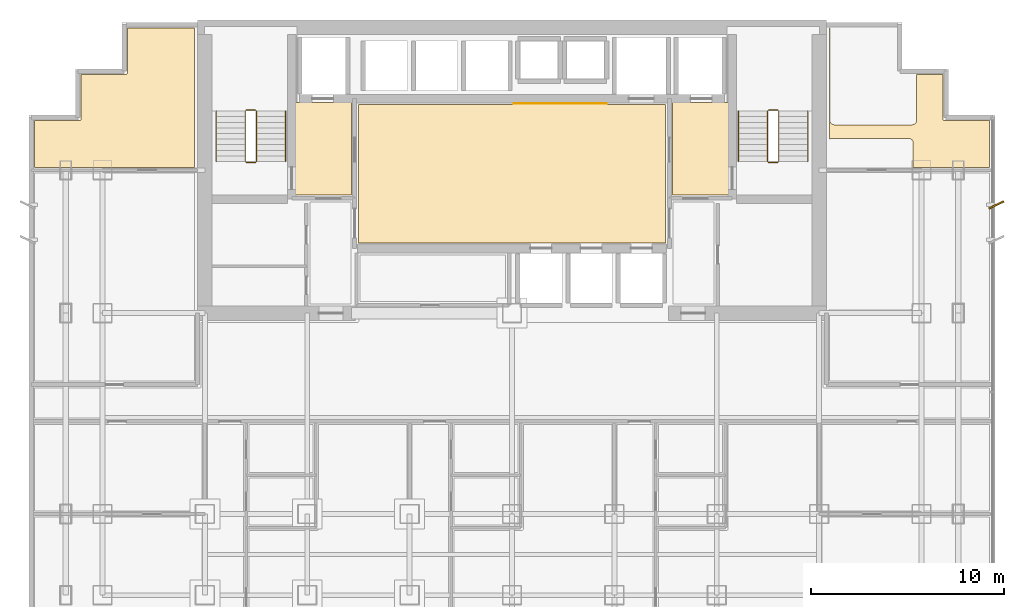
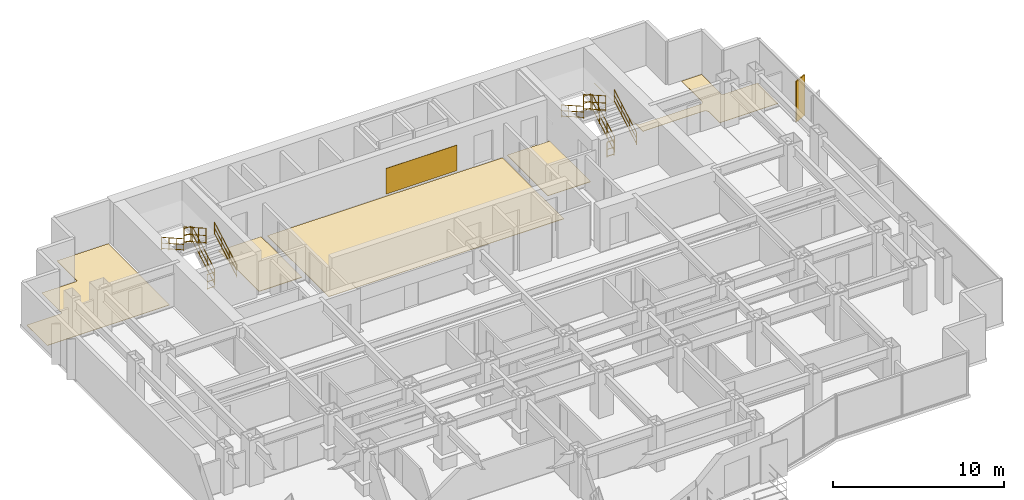
# One storey, part 11 of 11: 12 railings, 6 coverings, 1 shading device.
"""IFC4 building model written with IfcOpenShell, lengths in metres."""

from ifc_helpers import new_model, si_unit, direction, frame, origin, origin_2d, place, context, subcontext, project, spatial, polyline, rectangle, circle, outline, extrude, source, transform, mapped, material, layer, layer_set, type_object, element, save


model = new_model("IFC4")

# Units and contexts
model_context = context("Model", 3, precision=1e-05, world=origin(), true_north=direction((0.0, 1.0)))
body_context = subcontext(model_context, "Body", "Model", "MODEL_VIEW")
ifc_project = project(units=[si_unit("LENGTHUNIT", "METRE"), si_unit("AREAUNIT", "SQUARE_METRE"), si_unit("VOLUMEUNIT", "CUBIC_METRE"), si_unit("PLANEANGLEUNIT", "RADIAN"), si_unit("MASSUNIT", "GRAM", prefix="KILO")], contexts=[model_context])

# Site, building, storey
site_placement = place(None, origin())
site = spatial("IfcSite", under=ifc_project, at=site_placement, CompositionType="ELEMENT")
building_placement = place(site_placement, origin())
building = spatial("IfcBuilding", under=site, at=building_placement, Name="Qianlan Lanfeng Residences", CompositionType="ELEMENT")
storey_placement = place(building_placement, frame((0.0, 0.0, 104.800048828125)))
storey = spatial("IfcBuildingStorey", under=building, at=storey_placement, Name="L28", CompositionType="ELEMENT", Elevation=104.800048828125)

# Coverings
ifc_material_1 = material(Name="Anodised Bronze Feature Wall Cladding")
ifc_layer_1 = layer(ifc_material_1, 0.02490234375)
ifc_layer_set_1 = layer_set([ifc_layer_1], Name="Anodised Bronze Feature Wall Cladding")
covering_type_1 = type_object("IfcCoveringType", Name="CLD-BRZ-25", PredefinedType="CLADDING", material=ifc_layer_set_1)
covering_1_placement = place(storey_placement, frame((0.0, 0.0, 0.14990234375)))
element("IfcCovering", 1, at=covering_1_placement, inside=storey, type_object=covering_type_1, Name="L28 Lift Lobby Bronze Feature Cladding", PredefinedType="CLADDING", context=body_context, shape_type="SweptSolid", body=[
    extrude(outline(polyline([(26.60009765625, 36.050048828125), (31.39990234375, 36.050048828125), (31.39990234375, 36.074951171875), (26.60009765625, 36.074951171875), (26.60009765625, 36.050048828125)])), origin(), (0.0, 0.0, 1.0), 1.830078125),
])
ifc_material_2 = material(Name="Honed Taitung Granite Stone Flooring", Category="masonry")
ifc_layer_2 = layer(ifc_material_2, 0.030029296875)
ifc_layer_set_2 = layer_set([ifc_layer_2], Name="Honed Taitung Granite Stone Flooring")
covering_type_2 = type_object("IfcCoveringType", Name="FLR-STN-30", PredefinedType="FLOORING", material=ifc_layer_set_2)
covering_2_placement = place(storey_placement, origin())
element("IfcCovering", 2, at=covering_2_placement, inside=storey, type_object=covering_type_2, Name="L28 Firefighting Lift Lobby Floor Finish", PredefinedType="FLOORING", context=body_context, shape_type="SweptSolid", body=[
    extrude(outline(polyline([(15.2900390625, 31.320068359375), (18.179931640625, 31.320068359375), (18.179931640625, 36.110107421875), (15.2900390625, 36.110107421875), (15.2900390625, 31.320068359375)])), origin(), (0.0, 0.0, 1.0), 0.030029296875),
])
covering_3_placement = place(storey_placement, origin())
element("IfcCovering", 3, at=covering_3_placement, inside=storey, type_object=covering_type_2, Name="L28 Firefighting Lift Lobby Floor Finish", PredefinedType="FLOORING", context=body_context, shape_type="SweptSolid", body=[
    extrude(outline(polyline([(34.820068359375, 31.320068359375), (37.7099609375, 31.320068359375), (37.7099609375, 36.110107421875), (34.820068359375, 36.110107421875), (34.820068359375, 31.320068359375)])), origin(), (0.0, 0.0, 1.0), 0.030029296875),
])
covering_4_placement = place(storey_placement, origin())
element("IfcCovering", 4, at=covering_4_placement, inside=storey, type_object=covering_type_2, Name="L28 Lift Lobby Floor Finish", PredefinedType="FLOORING", context=body_context, shape_type="SweptSolid", body=[
    extrude(outline(polyline([(18.550048828125, 28.820068359375), (34.449951171875, 28.820068359375), (34.449951171875, 36.010009765625), (18.550048828125, 36.010009765625), (18.550048828125, 28.820068359375)])), origin(), (0.0, 0.0, 1.0), 0.030029296875),
])
ifc_material_3 = material(Name="Engineered Smoked Oak Timber Flooring", Category="wood")
ifc_layer_3 = layer(ifc_material_3, 0.02197265625)
ifc_layer_set_3 = layer_set([ifc_layer_3], Name="Engineered Smoked Oak Timber Flooring")
covering_type_3 = type_object("IfcCoveringType", Name="FLR-TIM-22", PredefinedType="FLOORING", material=ifc_layer_set_3)
covering_5_placement = place(storey_placement, origin())
element("IfcCovering", 5, at=covering_5_placement, inside=storey, type_object=covering_type_3, Name="L28 Resident Lounge Floor Finish", PredefinedType="FLOORING", context=body_context, shape_type="SweptSolid", body=[
    extrude(outline(polyline([(1.7900390625, 32.75), (10.074951171875, 32.75), (10.074951171875, 39.9599609375), (6.590087890625, 39.9599609375), (6.590087890625, 37.6298828125), (6.590087890625, 37.623046875), (6.589111328125, 37.615966796875), (6.5869140625, 37.610107421875), (6.5849609375, 37.60302734375), (6.58203125, 37.596923828125), (6.577880859375, 37.591064453125), (6.573974609375, 37.5859375), (6.569091796875, 37.5810546875), (6.56396484375, 37.575927734375), (6.55908203125, 37.572021484375), (6.552978515625, 37.568115234375), (6.547119140625, 37.56494140625), (6.5400390625, 37.56298828125), (6.533935546875, 37.56103515625), (6.527099609375, 37.56005859375), (6.52001953125, 37.56005859375), (4.18994140625, 37.56005859375), (4.18994140625, 35.22998046875), (4.18994140625, 35.222900390625), (4.18896484375, 35.216064453125), (4.18701171875, 35.2099609375), (4.18505859375, 35.202880859375), (4.181884765625, 35.197021484375), (4.177978515625, 35.19091796875), (4.174072265625, 35.18603515625), (4.1689453125, 35.180908203125), (4.1640625, 35.176025390625), (4.158935546875, 35.172119140625), (4.153076171875, 35.16796875), (4.14697265625, 35.1650390625), (4.139892578125, 35.1630859375), (4.134033203125, 35.160888671875), (4.126953125, 35.159912109375), (4.1201171875, 35.159912109375), (1.7900390625, 35.159912109375), (1.7900390625, 32.75)])), origin(), (0.0, 0.0, 1.0), 0.02197265625),
])
covering_6_placement = place(storey_placement, origin())
element("IfcCovering", 6, at=covering_6_placement, inside=storey, type_object=covering_type_3, Name="L28 Resident Lounge Floor Finish", PredefinedType="FLOORING", context=body_context, shape_type="SweptSolid", body=[
    extrude(outline(polyline([(42.925048828125, 34.196044921875), (42.94091796875, 34.2080078125), (42.9619140625, 34.219970703125), (42.98388671875, 34.23095703125), (43.007080078125, 34.239013671875), (43.031005859375, 34.2451171875), (43.054931640625, 34.2490234375), (43.080078125, 34.25), (47.02001953125, 34.25), (47.044921875, 34.2490234375), (47.069091796875, 34.2451171875), (47.093017578125, 34.239013671875), (47.115966796875, 34.23095703125), (47.137939453125, 34.219970703125), (47.158935546875, 34.2080078125), (47.178955078125, 34.193115234375), (47.197021484375, 34.177001953125), (47.212890625, 34.158935546875), (47.22802734375, 34.138916015625), (47.239990234375, 34.117919921875), (47.2509765625, 34.095947265625), (47.259033203125, 34.072998046875), (47.264892578125, 34.049072265625), (47.26904296875, 34.02490234375), (47.27001953125, 34.0), (47.27001953125, 32.75), (51.2099609375, 32.75), (51.2099609375, 35.159912109375), (48.8798828125, 35.159912109375), (48.873046875, 35.159912109375), (48.865966796875, 35.160888671875), (48.860107421875, 35.1630859375), (48.85302734375, 35.1650390625), (48.846923828125, 35.16796875), (48.841064453125, 35.172119140625), (48.8359375, 35.176025390625), (48.8310546875, 35.180908203125), (48.825927734375, 35.18603515625), (48.822021484375, 35.19091796875), (48.818115234375, 35.197021484375), (48.81494140625, 35.202880859375), (48.81298828125, 35.2099609375), (48.81103515625, 35.216064453125), (48.81005859375, 35.222900390625), (48.81005859375, 35.22998046875), (48.81005859375, 37.56005859375), (47.449951171875, 37.56005859375), (47.449951171875, 35.199951171875), (47.448974609375, 35.175048828125), (47.445068359375, 35.15087890625), (47.43896484375, 35.126953125), (47.430908203125, 35.10400390625), (47.419921875, 35.08203125), (47.407958984375, 35.06103515625), (47.39306640625, 35.041015625), (47.376953125, 35.02294921875), (47.35888671875, 35.007080078125), (47.339111328125, 34.991943359375), (47.318115234375, 34.97998046875), (47.2958984375, 34.968994140625), (47.27294921875, 34.9609375), (47.2490234375, 34.955078125), (47.22509765625, 34.950927734375), (47.199951171875, 34.949951171875), (43.199951171875, 34.949951171875), (43.175048828125, 34.950927734375), (43.15087890625, 34.955078125), (43.126953125, 34.9609375), (43.10400390625, 34.968994140625), (43.08203125, 34.97998046875), (43.06103515625, 34.991943359375), (43.041015625, 35.007080078125), (43.02294921875, 35.02294921875), (43.007080078125, 35.041015625), (42.991943359375, 35.06103515625), (42.97998046875, 35.08203125), (42.968994140625, 35.10400390625), (42.9609375, 35.126953125), (42.955078125, 35.15087890625), (42.950927734375, 35.175048828125), (42.949951171875, 35.199951171875), (42.949951171875, 39.9599609375), (42.925048828125, 39.9599609375), (42.925048828125, 34.196044921875)])), origin(), (0.0, 0.0, 1.0), 0.02197265625),
])

# Railings
ifc_material_4 = material(Name="Painted Galvanised Steel Guardrail", Category="steel")
railing_type_1 = type_object("IfcRailingType", Name="GR-ST-1120", PredefinedType="GUARDRAIL", material=ifc_material_4)
railing_1_placement = place(storey_placement, frame((13.27001953125, 33.050048828125, 0.1650390625)))
element("IfcRailing", 7, at=railing_1_placement, inside=storey, type_object=railing_type_1, Name="L28 ST-1 stair guard 1", PredefinedType="GUARDRAIL", context=body_context, shape_type="SweptSolid", body=[
    extrude(circle(Radius=0.02392578125, at=origin_2d()), frame((0.0, 0.0, 0.083984375), z_axis=(0.0, 0.869172267526, 0.494509422927), x_axis=(-1.0, 0.0, 0.0)), (0.0, 0.0, 1.0), 3.002685546875),
    extrude(circle(Radius=0.02392578125, at=origin_2d()), frame((0.0, 0.0, 0.58251953125), z_axis=(0.0, 0.869172267526, 0.494509422927), x_axis=(-1.0, 0.0, 0.0)), (0.0, 0.0, 1.0), 3.002685546875),
    extrude(circle(Radius=0.02392578125, at=origin_2d()), frame((0.0, 0.0, 1.09619140625), z_axis=(0.0, 0.869172267526, 0.494509422927), x_axis=(-1.0, 0.0, 0.0)), (0.0, 0.0, 1.0), 3.002685546875),
    extrude(circle(Radius=0.02099609375, at=origin_2d()), origin(), (0.0, 0.0, 1.0), 1.072021484375),
    extrude(circle(Radius=0.02099609375, at=origin_2d()), frame((0.0, 0.869873046875, 0.494873046875)), (0.0, 0.0, 1.0), 1.072021484375),
    extrude(circle(Radius=0.02099609375, at=origin_2d()), frame((0.0, 1.739990234375, 0.989990234375)), (0.0, 0.0, 1.0), 1.072021484375),
    extrude(circle(Radius=0.02099609375, at=origin_2d()), frame((0.0, 2.60986328125, 1.48486328125)), (0.0, 0.0, 1.0), 1.072021484375),
])
railing_2_placement = place(storey_placement, frame((13.219970703125, 35.7099609375, 1.64990234375)))
element("IfcRailing", 8, at=railing_2_placement, inside=storey, type_object=railing_type_1, Name="L28 ST-1 stair guard 2", PredefinedType="GUARDRAIL", context=body_context, shape_type="SweptSolid", body=[
    extrude(circle(Radius=0.02392578125, at=origin_2d()), frame((0.0, 0.0, 0.083984375), z_axis=(-1.0, 0.0, 0.0), x_axis=(0.0, -1.0, 0.0)), (0.0, 0.0, 1.0), 0.47998046875),
    extrude(circle(Radius=0.02392578125, at=origin_2d()), frame((0.0, 0.0, 0.58251953125), z_axis=(-1.0, 0.0, 0.0), x_axis=(0.0, -1.0, 0.0)), (0.0, 0.0, 1.0), 0.47998046875),
    extrude(circle(Radius=0.02392578125, at=origin_2d()), frame((0.0, 0.0, 1.09619140625), z_axis=(-1.0, 0.0, 0.0), x_axis=(0.0, -1.0, 0.0)), (0.0, 0.0, 1.0), 0.47998046875),
    extrude(circle(Radius=0.02099609375, at=origin_2d()), origin(), (0.0, 0.0, 1.0), 1.072021484375),
    extrude(circle(Radius=0.02099609375, at=origin_2d()), frame((-0.47998046875, 0.0, 0.0)), (0.0, 0.0, 1.0), 1.072021484375),
])
railing_3_placement = place(storey_placement, frame((12.68994140625, 35.659912109375, 1.81494140625)))
element("IfcRailing", 9, at=railing_3_placement, inside=storey, type_object=railing_type_1, Name="L28 ST-1 stair guard 3", PredefinedType="GUARDRAIL", context=body_context, shape_type="SweptSolid", body=[
    extrude(circle(Radius=0.02392578125, at=origin_2d()), frame((0.0, 0.0, 0.083984375), z_axis=(0.0, -0.869137319866, 0.494570843475), x_axis=(1.0, 0.0, 0.0)), (0.0, 0.0, 1.0), 3.0029296875),
    extrude(circle(Radius=0.02392578125, at=origin_2d()), frame((0.0, 0.0, 0.58251953125), z_axis=(0.0, -0.869137319866, 0.494570843475), x_axis=(1.0, 0.0, 0.0)), (0.0, 0.0, 1.0), 3.0029296875),
    extrude(circle(Radius=0.02392578125, at=origin_2d()), frame((0.0, 0.0, 1.09619140625), z_axis=(0.0, -0.869137319866, 0.494570843475), x_axis=(1.0, 0.0, 0.0)), (0.0, 0.0, 1.0), 3.0029296875),
    extrude(circle(Radius=0.02099609375, at=origin_2d()), origin(), (0.0, 0.0, 1.0), 1.072021484375),
    extrude(circle(Radius=0.02099609375, at=origin_2d()), frame((0.0, -0.869873046875, 0.4951171875)), (0.0, 0.0, 1.0), 1.072021484375),
    extrude(circle(Radius=0.02099609375, at=origin_2d()), frame((0.0, -1.739990234375, 0.989990234375)), (0.0, 0.0, 1.0), 1.072021484375),
    extrude(circle(Radius=0.02099609375, at=origin_2d()), frame((0.0, -2.60986328125, 1.485107421875)), (0.0, 0.0, 1.0), 1.072021484375),
])
railing_4_placement = place(storey_placement, frame((13.219970703125, 33.0, 0.0)))
element("IfcRailing", 10, at=railing_4_placement, inside=storey, type_object=railing_type_1, Name="L28 ST-1 stair guard 4", PredefinedType="GUARDRAIL", context=body_context, shape_type="SweptSolid", body=[
    extrude(circle(Radius=0.02392578125, at=origin_2d()), frame((0.0, 0.0, 0.083984375), z_axis=(-1.0, 0.0, 0.0), x_axis=(0.0, -1.0, 0.0)), (0.0, 0.0, 1.0), 0.47998046875),
    extrude(circle(Radius=0.02392578125, at=origin_2d()), frame((0.0, 0.0, 0.58251953125), z_axis=(-1.0, 0.0, 0.0), x_axis=(0.0, -1.0, 0.0)), (0.0, 0.0, 1.0), 0.47998046875),
    extrude(circle(Radius=0.02392578125, at=origin_2d()), frame((0.0, 0.0, 1.09619140625), z_axis=(-1.0, 0.0, 0.0), x_axis=(0.0, -1.0, 0.0)), (0.0, 0.0, 1.0), 0.47998046875),
    extrude(circle(Radius=0.02099609375, at=origin_2d()), origin(), (0.0, 0.0, 1.0), 1.072021484375),
    extrude(circle(Radius=0.02099609375, at=origin_2d()), frame((-0.47998046875, 0.0, 0.0)), (0.0, 0.0, 1.0), 1.072021484375),
])
railing_5_placement = place(storey_placement, frame((40.31005859375, 33.050048828125, 0.1650390625)))
element("IfcRailing", 11, at=railing_5_placement, inside=storey, type_object=railing_type_1, Name="L28 ST-2 stair guard 1", PredefinedType="GUARDRAIL", context=body_context, shape_type="SweptSolid", body=[
    extrude(circle(Radius=0.02392578125, at=origin_2d()), frame((0.0, 0.0, 0.083984375), z_axis=(0.0, 0.869172267526, 0.494509422927), x_axis=(-1.0, 0.0, 0.0)), (0.0, 0.0, 1.0), 3.002685546875),
    extrude(circle(Radius=0.02392578125, at=origin_2d()), frame((0.0, 0.0, 0.58251953125), z_axis=(0.0, 0.869172267526, 0.494509422927), x_axis=(-1.0, 0.0, 0.0)), (0.0, 0.0, 1.0), 3.002685546875),
    extrude(circle(Radius=0.02392578125, at=origin_2d()), frame((0.0, 0.0, 1.09619140625), z_axis=(0.0, 0.869172267526, 0.494509422927), x_axis=(-1.0, 0.0, 0.0)), (0.0, 0.0, 1.0), 3.002685546875),
    extrude(circle(Radius=0.02099609375, at=origin_2d()), origin(), (0.0, 0.0, 1.0), 1.072021484375),
    extrude(circle(Radius=0.02099609375, at=origin_2d()), frame((0.0, 0.869873046875, 0.494873046875)), (0.0, 0.0, 1.0), 1.072021484375),
    extrude(circle(Radius=0.02099609375, at=origin_2d()), frame((0.0, 1.739990234375, 0.989990234375)), (0.0, 0.0, 1.0), 1.072021484375),
    extrude(circle(Radius=0.02099609375, at=origin_2d()), frame((0.0, 2.60986328125, 1.48486328125)), (0.0, 0.0, 1.0), 1.072021484375),
])
railing_6_placement = place(storey_placement, frame((40.260009765625, 35.7099609375, 1.64990234375)))
element("IfcRailing", 12, at=railing_6_placement, inside=storey, type_object=railing_type_1, Name="L28 ST-2 stair guard 2", PredefinedType="GUARDRAIL", context=body_context, shape_type="SweptSolid", body=[
    extrude(circle(Radius=0.02392578125, at=origin_2d()), frame((0.0, 0.0, 0.083984375), z_axis=(-1.0, 0.0, 0.0), x_axis=(0.0, -1.0, 0.0)), (0.0, 0.0, 1.0), 0.47998046875),
    extrude(circle(Radius=0.02392578125, at=origin_2d()), frame((0.0, 0.0, 0.58251953125), z_axis=(-1.0, 0.0, 0.0), x_axis=(0.0, -1.0, 0.0)), (0.0, 0.0, 1.0), 0.47998046875),
    extrude(circle(Radius=0.02392578125, at=origin_2d()), frame((0.0, 0.0, 1.09619140625), z_axis=(-1.0, 0.0, 0.0), x_axis=(0.0, -1.0, 0.0)), (0.0, 0.0, 1.0), 0.47998046875),
    extrude(circle(Radius=0.02099609375, at=origin_2d()), origin(), (0.0, 0.0, 1.0), 1.072021484375),
    extrude(circle(Radius=0.02099609375, at=origin_2d()), frame((-0.47998046875, 0.0, 0.0)), (0.0, 0.0, 1.0), 1.072021484375),
])
railing_7_placement = place(storey_placement, frame((39.72998046875, 35.659912109375, 1.81494140625)))
element("IfcRailing", 13, at=railing_7_placement, inside=storey, type_object=railing_type_1, Name="L28 ST-2 stair guard 3", PredefinedType="GUARDRAIL", context=body_context, shape_type="SweptSolid", body=[
    extrude(circle(Radius=0.02392578125, at=origin_2d()), frame((0.0, 0.0, 0.083984375), z_axis=(0.0, -0.869137319866, 0.494570843475), x_axis=(1.0, 0.0, 0.0)), (0.0, 0.0, 1.0), 3.0029296875),
    extrude(circle(Radius=0.02392578125, at=origin_2d()), frame((0.0, 0.0, 0.58251953125), z_axis=(0.0, -0.869137319866, 0.494570843475), x_axis=(1.0, 0.0, 0.0)), (0.0, 0.0, 1.0), 3.0029296875),
    extrude(circle(Radius=0.02392578125, at=origin_2d()), frame((0.0, 0.0, 1.09619140625), z_axis=(0.0, -0.869137319866, 0.494570843475), x_axis=(1.0, 0.0, 0.0)), (0.0, 0.0, 1.0), 3.0029296875),
    extrude(circle(Radius=0.02099609375, at=origin_2d()), origin(), (0.0, 0.0, 1.0), 1.072021484375),
    extrude(circle(Radius=0.02099609375, at=origin_2d()), frame((0.0, -0.869873046875, 0.4951171875)), (0.0, 0.0, 1.0), 1.072021484375),
    extrude(circle(Radius=0.02099609375, at=origin_2d()), frame((0.0, -1.739990234375, 0.989990234375)), (0.0, 0.0, 1.0), 1.072021484375),
    extrude(circle(Radius=0.02099609375, at=origin_2d()), frame((0.0, -2.60986328125, 1.485107421875)), (0.0, 0.0, 1.0), 1.072021484375),
])
railing_8_placement = place(storey_placement, frame((40.260009765625, 33.0, 0.0)))
element("IfcRailing", 14, at=railing_8_placement, inside=storey, type_object=railing_type_1, Name="L28 ST-2 stair guard 4", PredefinedType="GUARDRAIL", context=body_context, shape_type="SweptSolid", body=[
    extrude(circle(Radius=0.02392578125, at=origin_2d()), frame((0.0, 0.0, 0.083984375), z_axis=(-1.0, 0.0, 0.0), x_axis=(0.0, -1.0, 0.0)), (0.0, 0.0, 1.0), 0.47998046875),
    extrude(circle(Radius=0.02392578125, at=origin_2d()), frame((0.0, 0.0, 0.58251953125), z_axis=(-1.0, 0.0, 0.0), x_axis=(0.0, -1.0, 0.0)), (0.0, 0.0, 1.0), 0.47998046875),
    extrude(circle(Radius=0.02392578125, at=origin_2d()), frame((0.0, 0.0, 1.09619140625), z_axis=(-1.0, 0.0, 0.0), x_axis=(0.0, -1.0, 0.0)), (0.0, 0.0, 1.0), 0.47998046875),
    extrude(circle(Radius=0.02099609375, at=origin_2d()), origin(), (0.0, 0.0, 1.0), 1.072021484375),
    extrude(circle(Radius=0.02099609375, at=origin_2d()), frame((-0.47998046875, 0.0, 0.0)), (0.0, 0.0, 1.0), 1.072021484375),
])
ifc_material_5 = material(Name="Brushed Stainless Steel Handrail", Category="steel")
railing_type_2 = type_object("IfcRailingType", Name="HR-ST-920", PredefinedType="HANDRAIL", material=ifc_material_5)
railing_9_placement = place(storey_placement, frame((14.77001953125, 33.050048828125, 0.1650390625)))
element("IfcRailing", 15, at=railing_9_placement, inside=storey, type_object=railing_type_2, Name="L28 ST-1 stair handrail 1", PredefinedType="HANDRAIL", context=body_context, shape_type="SweptSolid", body=[
    extrude(circle(Radius=0.02392578125, at=origin_2d()), frame((0.0, 0.0, 0.083984375), z_axis=(0.0, 0.869172267526, 0.494509422927), x_axis=(-1.0, 0.0, 0.0)), (0.0, 0.0, 1.0), 3.002685546875),
    extrude(circle(Radius=0.02392578125, at=origin_2d()), frame((0.0, 0.0, 0.468017578125), z_axis=(0.0, 0.869172267526, 0.494509422927), x_axis=(-1.0, 0.0, 0.0)), (0.0, 0.0, 1.0), 3.002685546875),
    extrude(circle(Radius=0.02392578125, at=origin_2d()), frame((0.0, 0.0, 0.8759765625), z_axis=(0.0, 0.869172267526, 0.494509422927), x_axis=(-1.0, 0.0, 0.0)), (0.0, 0.0, 1.0), 3.002685546875),
    extrude(circle(Radius=0.02099609375, at=origin_2d()), origin(), (0.0, 0.0, 1.0), 0.851806640625),
    extrude(circle(Radius=0.02099609375, at=origin_2d()), frame((0.0, 0.869873046875, 0.494873046875)), (0.0, 0.0, 1.0), 0.851806640625),
    extrude(circle(Radius=0.02099609375, at=origin_2d()), frame((0.0, 1.739990234375, 0.989990234375)), (0.0, 0.0, 1.0), 0.851806640625),
    extrude(circle(Radius=0.02099609375, at=origin_2d()), frame((0.0, 2.60986328125, 1.48486328125)), (0.0, 0.0, 1.0), 0.851806640625),
])
railing_10_placement = place(storey_placement, frame((11.18994140625, 35.659912109375, 1.81494140625)))
element("IfcRailing", 16, at=railing_10_placement, inside=storey, type_object=railing_type_2, Name="L28 ST-1 stair handrail 2", PredefinedType="HANDRAIL", context=body_context, shape_type="SweptSolid", body=[
    extrude(circle(Radius=0.02392578125, at=origin_2d()), frame((0.0, 0.0, 0.083984375), z_axis=(0.0, -0.869137319866, 0.494570843475), x_axis=(1.0, 0.0, 0.0)), (0.0, 0.0, 1.0), 3.0029296875),
    extrude(circle(Radius=0.02392578125, at=origin_2d()), frame((0.0, 0.0, 0.468017578125), z_axis=(0.0, -0.869137319866, 0.494570843475), x_axis=(1.0, 0.0, 0.0)), (0.0, 0.0, 1.0), 3.0029296875),
    extrude(circle(Radius=0.02392578125, at=origin_2d()), frame((0.0, 0.0, 0.8759765625), z_axis=(0.0, -0.869137319866, 0.494570843475), x_axis=(1.0, 0.0, 0.0)), (0.0, 0.0, 1.0), 3.0029296875),
    extrude(circle(Radius=0.02099609375, at=origin_2d()), origin(), (0.0, 0.0, 1.0), 0.851806640625),
    extrude(circle(Radius=0.02099609375, at=origin_2d()), frame((0.0, -0.869873046875, 0.4951171875)), (0.0, 0.0, 1.0), 0.851806640625),
    extrude(circle(Radius=0.02099609375, at=origin_2d()), frame((0.0, -1.739990234375, 0.989990234375)), (0.0, 0.0, 1.0), 0.851806640625),
    extrude(circle(Radius=0.02099609375, at=origin_2d()), frame((0.0, -2.60986328125, 1.485107421875)), (0.0, 0.0, 1.0), 0.851806640625),
])
railing_11_placement = place(storey_placement, frame((41.81005859375, 33.050048828125, 0.1650390625)))
element("IfcRailing", 17, at=railing_11_placement, inside=storey, type_object=railing_type_2, Name="L28 ST-2 stair handrail 1", PredefinedType="HANDRAIL", context=body_context, shape_type="SweptSolid", body=[
    extrude(circle(Radius=0.02392578125, at=origin_2d()), frame((0.0, 0.0, 0.083984375), z_axis=(0.0, 0.869172267526, 0.494509422927), x_axis=(-1.0, 0.0, 0.0)), (0.0, 0.0, 1.0), 3.002685546875),
    extrude(circle(Radius=0.02392578125, at=origin_2d()), frame((0.0, 0.0, 0.468017578125), z_axis=(0.0, 0.869172267526, 0.494509422927), x_axis=(-1.0, 0.0, 0.0)), (0.0, 0.0, 1.0), 3.002685546875),
    extrude(circle(Radius=0.02392578125, at=origin_2d()), frame((0.0, 0.0, 0.8759765625), z_axis=(0.0, 0.869172267526, 0.494509422927), x_axis=(-1.0, 0.0, 0.0)), (0.0, 0.0, 1.0), 3.002685546875),
    extrude(circle(Radius=0.02099609375, at=origin_2d()), origin(), (0.0, 0.0, 1.0), 0.851806640625),
    extrude(circle(Radius=0.02099609375, at=origin_2d()), frame((0.0, 0.869873046875, 0.494873046875)), (0.0, 0.0, 1.0), 0.851806640625),
    extrude(circle(Radius=0.02099609375, at=origin_2d()), frame((0.0, 1.739990234375, 0.989990234375)), (0.0, 0.0, 1.0), 0.851806640625),
    extrude(circle(Radius=0.02099609375, at=origin_2d()), frame((0.0, 2.60986328125, 1.48486328125)), (0.0, 0.0, 1.0), 0.851806640625),
])
railing_12_placement = place(storey_placement, frame((38.22998046875, 35.659912109375, 1.81494140625)))
element("IfcRailing", 18, at=railing_12_placement, inside=storey, type_object=railing_type_2, Name="L28 ST-2 stair handrail 2", PredefinedType="HANDRAIL", context=body_context, shape_type="SweptSolid", body=[
    extrude(circle(Radius=0.02392578125, at=origin_2d()), frame((0.0, 0.0, 0.083984375), z_axis=(0.0, -0.869137319866, 0.494570843475), x_axis=(1.0, 0.0, 0.0)), (0.0, 0.0, 1.0), 3.0029296875),
    extrude(circle(Radius=0.02392578125, at=origin_2d()), frame((0.0, 0.0, 0.468017578125), z_axis=(0.0, -0.869137319866, 0.494570843475), x_axis=(1.0, 0.0, 0.0)), (0.0, 0.0, 1.0), 3.0029296875),
    extrude(circle(Radius=0.02392578125, at=origin_2d()), frame((0.0, 0.0, 0.8759765625), z_axis=(0.0, -0.869137319866, 0.494570843475), x_axis=(1.0, 0.0, 0.0)), (0.0, 0.0, 1.0), 3.0029296875),
    extrude(circle(Radius=0.02099609375, at=origin_2d()), origin(), (0.0, 0.0, 1.0), 0.851806640625),
    extrude(circle(Radius=0.02099609375, at=origin_2d()), frame((0.0, -0.869873046875, 0.4951171875)), (0.0, 0.0, 1.0), 0.851806640625),
    extrude(circle(Radius=0.02099609375, at=origin_2d()), frame((0.0, -1.739990234375, 0.989990234375)), (0.0, 0.0, 1.0), 0.851806640625),
    extrude(circle(Radius=0.02099609375, at=origin_2d()), frame((0.0, -2.60986328125, 1.485107421875)), (0.0, 0.0, 1.0), 0.851806640625),
])

# Shading device
ifc_material_6 = material(Name="Anodised Bronze Aluminium Solar Fin", Category="aluminium")
shading_device_type = type_object("IfcShadingDeviceType", Name="FIN-BRZ-850", PredefinedType="SHUTTER", material=ifc_material_6)
shared_shape = source(origin(), body_context, "Body", "SweptSolid", [
    extrude(rectangle(XDim=0.85009765625, YDim=0.080078125, at=origin_2d()), origin(), (0.0, 0.0, 1.0), 2.89990234375),
])
shading_device_placement = place(storey_placement, frame((51.570068359375, 30.800048828125, 0.0), z_axis=(0.0, 0.0, 1.0), x_axis=(0.898794046299, 0.438371146789, 0.0)))
element("IfcShadingDevice", 19, at=shading_device_placement, inside=storey, type_object=shading_device_type, Name="L28 Raked Bronze Solar Fin E2", PredefinedType="SHUTTER", context=body_context, shape_type="MappedRepresentation", body=[
    mapped(shared_shape, transform((0.0, 0.0, 0.0), scale=1.0)),
])

save(model, "model.ifc")
